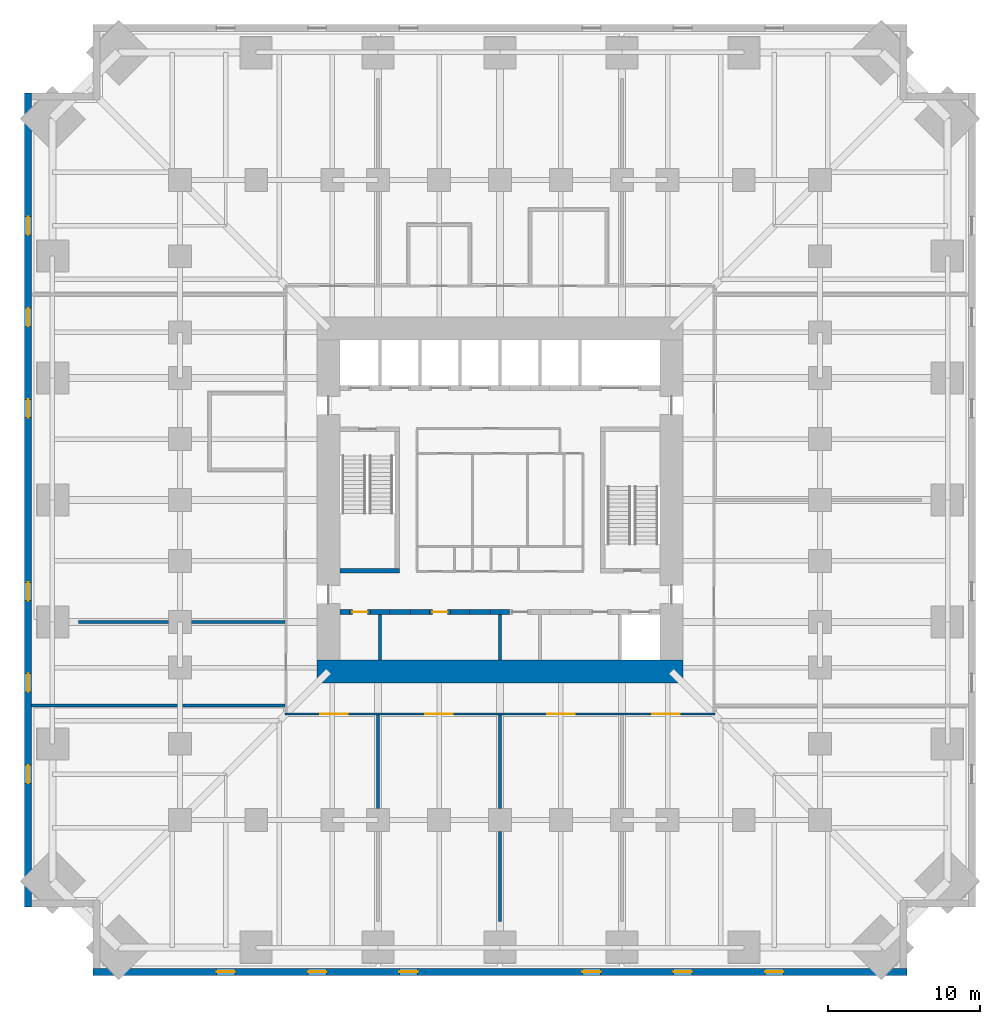
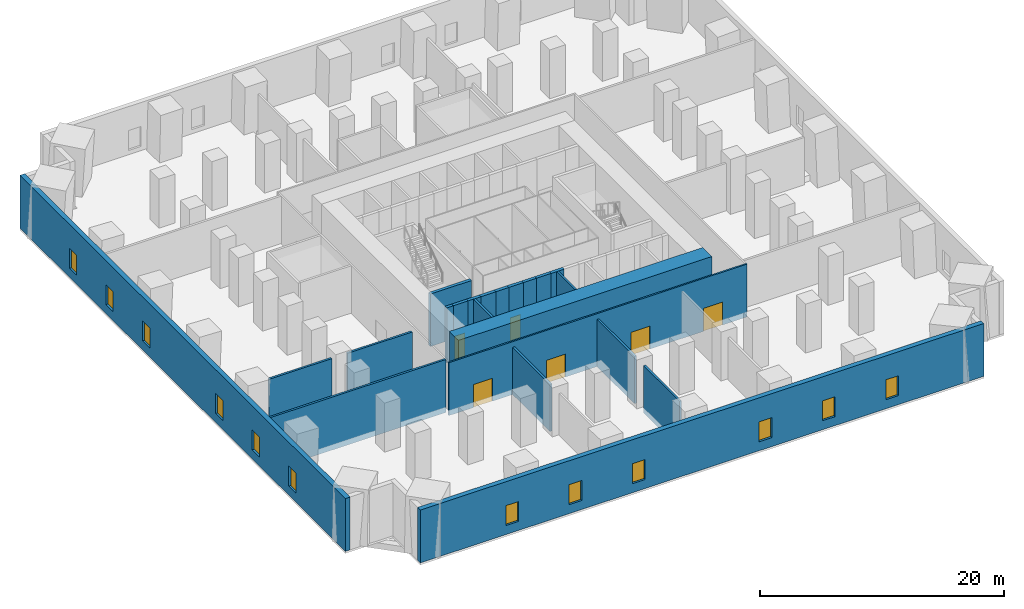
# One storey, part 3 of 8: 22 walls, 12 windows, 6 doors, 18 openings.
"""IFC4 building model written with IfcOpenShell, lengths in metres."""

from ifc_helpers import new_model, si_unit, direction, frame, frame_2d, origin, place, context, subcontext, project, spatial, rectangle, extrude, material, layer, layer_set, type_object, element, fill, save


model = new_model("IFC4")

# Units and contexts
model_context = context("Model", 3, precision=1e-05, world=origin(), true_north=direction((0.0, 1.0)))
body_context = subcontext(model_context, "Body", "Model", "MODEL_VIEW")
ifc_project = project(units=[si_unit("LENGTHUNIT", "METRE"), si_unit("AREAUNIT", "SQUARE_METRE"), si_unit("VOLUMEUNIT", "CUBIC_METRE"), si_unit("PLANEANGLEUNIT", "RADIAN"), si_unit("MASSUNIT", "GRAM", prefix="KILO")], contexts=[model_context])

# Site, building, storey
site_placement = place(None, origin())
site = spatial("IfcSite", under=ifc_project, at=site_placement, CompositionType="ELEMENT")
building_placement = place(site_placement, origin())
building = spatial("IfcBuilding", under=site, at=building_placement, Name="Peilmerk Tower", CompositionType="ELEMENT")
storey_placement = place(building_placement, frame((0.0, 0.0, 37.5)))
storey = spatial("IfcBuildingStorey", under=building, at=storey_placement, Name="L07", CompositionType="ELEMENT", Elevation=37.5)

# Wall, openings, windows
ifc_material_1 = material(Name="Precast concrete C45/55, board-marked finish", Category="concrete")
ifc_layer_1 = layer(ifc_material_1, 0.449951171875)
ifc_layer_set_1 = layer_set([ifc_layer_1], Name="Precast concrete C45/55, board-marked finish")
wall_type_1 = type_object("IfcWallType", Name="EW1 450 precast concrete facade wall, board-marked", PredefinedType="SOLIDWALL", material=ifc_layer_set_1)
wall_1_placement = place(storey_placement, frame((-26.699951171875, -30.97509765625, 0.0), z_axis=(0.0, 0.0, 1.0), x_axis=(1.0, 0.0, 0.0)))
wall_1 = element("IfcWall", 1, at=wall_1_placement, inside=storey, type_object=wall_type_1, Name="Facade wall S L07", PredefinedType="SOLIDWALL", context=body_context, shape_type="SweptSolid", body=[
    extrude(rectangle(XDim=53.39990234375, YDim=0.449951171875, at=frame_2d((26.699951171875, 0.0))), origin(), (0.0, 0.0, 1.0), 5.300048828125),
])
opening_1_placement = place(wall_1_placement, frame((8.10009765625, 0.0, 0.89990234375)))
opening_1 = element("IfcOpeningElement", 2, at=opening_1_placement, cuts=wall_1, Name="Opening W2", PredefinedType="OPENING", context=body_context, shape_type="SweptSolid", body=[
    extrude(rectangle(XDim=1.199951171875, YDim=2.0, at=frame_2d((0.60009765625, 1.0))), frame((0.0, 0.23486328125, 0.0), z_axis=(0.0, -1.0, 0.0), x_axis=(1.0, 0.0, 0.0)), (0.0, 0.0, 1.0), 0.469970703125),
])
opening_2_placement = place(wall_1_placement, frame((14.10009765625, 0.0, 0.89990234375)))
opening_2 = element("IfcOpeningElement", 3, at=opening_2_placement, cuts=wall_1, Name="Opening W2", PredefinedType="OPENING", context=body_context, shape_type="SweptSolid", body=[
    extrude(rectangle(XDim=1.199951171875, YDim=2.0, at=frame_2d((0.60009765625, 1.0))), frame((0.0, 0.23486328125, 0.0), z_axis=(0.0, -1.0, 0.0), x_axis=(1.0, 0.0, 0.0)), (0.0, 0.0, 1.0), 0.469970703125),
])
opening_3_placement = place(wall_1_placement, frame((20.10009765625, 0.0, 0.89990234375)))
opening_3 = element("IfcOpeningElement", 4, at=opening_3_placement, cuts=wall_1, Name="Opening W2", PredefinedType="OPENING", context=body_context, shape_type="SweptSolid", body=[
    extrude(rectangle(XDim=1.199951171875, YDim=2.0, at=frame_2d((0.60009765625, 1.0))), frame((0.0, 0.23486328125, 0.0), z_axis=(0.0, -1.0, 0.0), x_axis=(1.0, 0.0, 0.0)), (0.0, 0.0, 1.0), 0.469970703125),
])
opening_4_placement = place(wall_1_placement, frame((32.10009765625, 0.0, 0.89990234375)))
opening_4 = element("IfcOpeningElement", 5, at=opening_4_placement, cuts=wall_1, Name="Opening W2", PredefinedType="OPENING", context=body_context, shape_type="SweptSolid", body=[
    extrude(rectangle(XDim=1.199951171875, YDim=2.0, at=frame_2d((0.60009765625, 1.0))), frame((0.0, 0.23486328125, 0.0), z_axis=(0.0, -1.0, 0.0), x_axis=(1.0, 0.0, 0.0)), (0.0, 0.0, 1.0), 0.469970703125),
])
opening_5_placement = place(wall_1_placement, frame((38.10009765625, 0.0, 0.89990234375)))
opening_5 = element("IfcOpeningElement", 6, at=opening_5_placement, cuts=wall_1, Name="Opening W2", PredefinedType="OPENING", context=body_context, shape_type="SweptSolid", body=[
    extrude(rectangle(XDim=1.199951171875, YDim=2.0, at=frame_2d((0.60009765625, 1.0))), frame((0.0, 0.23486328125, 0.0), z_axis=(0.0, -1.0, 0.0), x_axis=(1.0, 0.0, 0.0)), (0.0, 0.0, 1.0), 0.469970703125),
])
opening_6_placement = place(wall_1_placement, frame((44.10009765625, 0.0, 0.89990234375)))
opening_6 = element("IfcOpeningElement", 7, at=opening_6_placement, cuts=wall_1, Name="Opening W2", PredefinedType="OPENING", context=body_context, shape_type="SweptSolid", body=[
    extrude(rectangle(XDim=1.199951171875, YDim=2.0, at=frame_2d((0.60009765625, 1.0))), frame((0.0, 0.23486328125, 0.0), z_axis=(0.0, -1.0, 0.0), x_axis=(1.0, 0.0, 0.0)), (0.0, 0.0, 1.0), 0.469970703125),
])
ifc_material_2 = material(Name="Aluminium frame, clear double glazing", Category="aluminium")
window_type = type_object("IfcWindowType", Name="W2 1200x2000 data hall slot window", PartitioningType="SINGLE_PANEL", PredefinedType="WINDOW", material=ifc_material_2)
window_1_placement = place(opening_1_placement, origin())
window_1 = element("IfcWindow", 8, at=window_1_placement, inside=storey, type_object=window_type, Name="Window W2 L07", OverallHeight=2.0, OverallWidth=1.199951171875, PartitioningType="SINGLE_PANEL", PredefinedType="WINDOW", context=body_context, shape_type="SweptSolid", body=[
    extrude(rectangle(XDim=1.199951171875, YDim=2.0, at=frame_2d((0.60009765625, 1.0))), frame((0.0, 0.030029296875, 0.0), z_axis=(0.0, -1.0, 0.0), x_axis=(1.0, 0.0, 0.0)), (0.0, 0.0, 1.0), 0.06005859375),
])
fill(opening_1, window_1)
window_2_placement = place(opening_2_placement, origin())
window_2 = element("IfcWindow", 9, at=window_2_placement, inside=storey, type_object=window_type, Name="Window W2 L07", OverallHeight=2.0, OverallWidth=1.199951171875, PartitioningType="SINGLE_PANEL", PredefinedType="WINDOW", context=body_context, shape_type="SweptSolid", body=[
    extrude(rectangle(XDim=1.199951171875, YDim=2.0, at=frame_2d((0.60009765625, 1.0))), frame((0.0, 0.030029296875, 0.0), z_axis=(0.0, -1.0, 0.0), x_axis=(1.0, 0.0, 0.0)), (0.0, 0.0, 1.0), 0.06005859375),
])
fill(opening_2, window_2)
window_3_placement = place(opening_3_placement, origin())
window_3 = element("IfcWindow", 10, at=window_3_placement, inside=storey, type_object=window_type, Name="Window W2 L07", OverallHeight=2.0, OverallWidth=1.199951171875, PartitioningType="SINGLE_PANEL", PredefinedType="WINDOW", context=body_context, shape_type="SweptSolid", body=[
    extrude(rectangle(XDim=1.199951171875, YDim=2.0, at=frame_2d((0.60009765625, 1.0))), frame((0.0, 0.030029296875, 0.0), z_axis=(0.0, -1.0, 0.0), x_axis=(1.0, 0.0, 0.0)), (0.0, 0.0, 1.0), 0.06005859375),
])
fill(opening_3, window_3)
window_4_placement = place(opening_4_placement, origin())
window_4 = element("IfcWindow", 11, at=window_4_placement, inside=storey, type_object=window_type, Name="Window W2 L07", OverallHeight=2.0, OverallWidth=1.199951171875, PartitioningType="SINGLE_PANEL", PredefinedType="WINDOW", context=body_context, shape_type="SweptSolid", body=[
    extrude(rectangle(XDim=1.199951171875, YDim=2.0, at=frame_2d((0.60009765625, 1.0))), frame((0.0, 0.030029296875, 0.0), z_axis=(0.0, -1.0, 0.0), x_axis=(1.0, 0.0, 0.0)), (0.0, 0.0, 1.0), 0.06005859375),
])
fill(opening_4, window_4)
window_5_placement = place(opening_5_placement, origin())
window_5 = element("IfcWindow", 12, at=window_5_placement, inside=storey, type_object=window_type, Name="Window W2 L07", OverallHeight=2.0, OverallWidth=1.199951171875, PartitioningType="SINGLE_PANEL", PredefinedType="WINDOW", context=body_context, shape_type="SweptSolid", body=[
    extrude(rectangle(XDim=1.199951171875, YDim=2.0, at=frame_2d((0.60009765625, 1.0))), frame((0.0, 0.030029296875, 0.0), z_axis=(0.0, -1.0, 0.0), x_axis=(1.0, 0.0, 0.0)), (0.0, 0.0, 1.0), 0.06005859375),
])
fill(opening_5, window_5)
window_6_placement = place(opening_6_placement, origin())
window_6 = element("IfcWindow", 13, at=window_6_placement, inside=storey, type_object=window_type, Name="Window W2 L07", OverallHeight=2.0, OverallWidth=1.199951171875, PartitioningType="SINGLE_PANEL", PredefinedType="WINDOW", context=body_context, shape_type="SweptSolid", body=[
    extrude(rectangle(XDim=1.199951171875, YDim=2.0, at=frame_2d((0.60009765625, 1.0))), frame((0.0, 0.030029296875, 0.0), z_axis=(0.0, -1.0, 0.0), x_axis=(1.0, 0.0, 0.0)), (0.0, 0.0, 1.0), 0.06005859375),
])
fill(opening_6, window_6)

wall_2_placement = place(storey_placement, frame((-30.97509765625, 26.699951171875, 0.0), z_axis=(0.0, 0.0, 1.0), x_axis=(0.0, -1.0, 0.0)))
wall_2 = element("IfcWall", 14, at=wall_2_placement, inside=storey, type_object=wall_type_1, Name="Facade wall W L07", PredefinedType="SOLIDWALL", context=body_context, shape_type="SweptSolid", body=[
    extrude(rectangle(XDim=53.39990234375, YDim=0.449951171875, at=frame_2d((26.699951171875, 0.0))), origin(), (0.0, 0.0, 1.0), 5.300048828125),
])
opening_7_placement = place(wall_2_placement, frame((8.10009765625, 0.0, 0.89990234375)))
opening_7 = element("IfcOpeningElement", 15, at=opening_7_placement, cuts=wall_2, Name="Opening W2", PredefinedType="OPENING", context=body_context, shape_type="SweptSolid", body=[
    extrude(rectangle(XDim=1.199951171875, YDim=2.0, at=frame_2d((0.60009765625, 1.0))), frame((0.0, 0.23486328125, 0.0), z_axis=(0.0, -1.0, 0.0), x_axis=(1.0, 0.0, 0.0)), (0.0, 0.0, 1.0), 0.469970703125),
])
opening_8_placement = place(wall_2_placement, frame((14.10009765625, 0.0, 0.89990234375)))
opening_8 = element("IfcOpeningElement", 16, at=opening_8_placement, cuts=wall_2, Name="Opening W2", PredefinedType="OPENING", context=body_context, shape_type="SweptSolid", body=[
    extrude(rectangle(XDim=1.199951171875, YDim=2.0, at=frame_2d((0.60009765625, 1.0))), frame((0.0, 0.23486328125, 0.0), z_axis=(0.0, -1.0, 0.0), x_axis=(1.0, 0.0, 0.0)), (0.0, 0.0, 1.0), 0.469970703125),
])
opening_9_placement = place(wall_2_placement, frame((20.10009765625, 0.0, 0.89990234375)))
opening_9 = element("IfcOpeningElement", 17, at=opening_9_placement, cuts=wall_2, Name="Opening W2", PredefinedType="OPENING", context=body_context, shape_type="SweptSolid", body=[
    extrude(rectangle(XDim=1.199951171875, YDim=2.0, at=frame_2d((0.60009765625, 1.0))), frame((0.0, 0.23486328125, 0.0), z_axis=(0.0, -1.0, 0.0), x_axis=(1.0, 0.0, 0.0)), (0.0, 0.0, 1.0), 0.469970703125),
])
opening_10_placement = place(wall_2_placement, frame((32.10009765625, 0.0, 0.89990234375)))
opening_10 = element("IfcOpeningElement", 18, at=opening_10_placement, cuts=wall_2, Name="Opening W2", PredefinedType="OPENING", context=body_context, shape_type="SweptSolid", body=[
    extrude(rectangle(XDim=1.199951171875, YDim=2.0, at=frame_2d((0.60009765625, 1.0))), frame((0.0, 0.23486328125, 0.0), z_axis=(0.0, -1.0, 0.0), x_axis=(1.0, 0.0, 0.0)), (0.0, 0.0, 1.0), 0.469970703125),
])
opening_11_placement = place(wall_2_placement, frame((38.10009765625, 0.0, 0.89990234375)))
opening_11 = element("IfcOpeningElement", 19, at=opening_11_placement, cuts=wall_2, Name="Opening W2", PredefinedType="OPENING", context=body_context, shape_type="SweptSolid", body=[
    extrude(rectangle(XDim=1.199951171875, YDim=2.0, at=frame_2d((0.60009765625, 1.0))), frame((0.0, 0.23486328125, 0.0), z_axis=(0.0, -1.0, 0.0), x_axis=(1.0, 0.0, 0.0)), (0.0, 0.0, 1.0), 0.469970703125),
])
opening_12_placement = place(wall_2_placement, frame((44.10009765625, 0.0, 0.89990234375)))
opening_12 = element("IfcOpeningElement", 20, at=opening_12_placement, cuts=wall_2, Name="Opening W2", PredefinedType="OPENING", context=body_context, shape_type="SweptSolid", body=[
    extrude(rectangle(XDim=1.199951171875, YDim=2.0, at=frame_2d((0.60009765625, 1.0))), frame((0.0, 0.23486328125, 0.0), z_axis=(0.0, -1.0, 0.0), x_axis=(1.0, 0.0, 0.0)), (0.0, 0.0, 1.0), 0.469970703125),
])
window_7_placement = place(opening_7_placement, origin())
window_7 = element("IfcWindow", 21, at=window_7_placement, inside=storey, type_object=window_type, Name="Window W2 L07", OverallHeight=2.0, OverallWidth=1.199951171875, PartitioningType="SINGLE_PANEL", PredefinedType="WINDOW", context=body_context, shape_type="SweptSolid", body=[
    extrude(rectangle(XDim=1.199951171875, YDim=2.0, at=frame_2d((0.60009765625, 1.0))), frame((0.0, 0.030029296875, 0.0), z_axis=(0.0, -1.0, 0.0), x_axis=(1.0, 0.0, 0.0)), (0.0, 0.0, 1.0), 0.06005859375),
])
fill(opening_7, window_7)
window_8_placement = place(opening_8_placement, origin())
window_8 = element("IfcWindow", 22, at=window_8_placement, inside=storey, type_object=window_type, Name="Window W2 L07", OverallHeight=2.0, OverallWidth=1.199951171875, PartitioningType="SINGLE_PANEL", PredefinedType="WINDOW", context=body_context, shape_type="SweptSolid", body=[
    extrude(rectangle(XDim=1.199951171875, YDim=2.0, at=frame_2d((0.60009765625, 1.0))), frame((0.0, 0.030029296875, 0.0), z_axis=(0.0, -1.0, 0.0), x_axis=(1.0, 0.0, 0.0)), (0.0, 0.0, 1.0), 0.06005859375),
])
fill(opening_8, window_8)
window_9_placement = place(opening_9_placement, origin())
window_9 = element("IfcWindow", 23, at=window_9_placement, inside=storey, type_object=window_type, Name="Window W2 L07", OverallHeight=2.0, OverallWidth=1.199951171875, PartitioningType="SINGLE_PANEL", PredefinedType="WINDOW", context=body_context, shape_type="SweptSolid", body=[
    extrude(rectangle(XDim=1.199951171875, YDim=2.0, at=frame_2d((0.60009765625, 1.0))), frame((0.0, 0.030029296875, 0.0), z_axis=(0.0, -1.0, 0.0), x_axis=(1.0, 0.0, 0.0)), (0.0, 0.0, 1.0), 0.06005859375),
])
fill(opening_9, window_9)
window_10_placement = place(opening_10_placement, origin())
window_10 = element("IfcWindow", 24, at=window_10_placement, inside=storey, type_object=window_type, Name="Window W2 L07", OverallHeight=2.0, OverallWidth=1.199951171875, PartitioningType="SINGLE_PANEL", PredefinedType="WINDOW", context=body_context, shape_type="SweptSolid", body=[
    extrude(rectangle(XDim=1.199951171875, YDim=2.0, at=frame_2d((0.60009765625, 1.0))), frame((0.0, 0.030029296875, 0.0), z_axis=(0.0, -1.0, 0.0), x_axis=(1.0, 0.0, 0.0)), (0.0, 0.0, 1.0), 0.06005859375),
])
fill(opening_10, window_10)
window_11_placement = place(opening_11_placement, origin())
window_11 = element("IfcWindow", 25, at=window_11_placement, inside=storey, type_object=window_type, Name="Window W2 L07", OverallHeight=2.0, OverallWidth=1.199951171875, PartitioningType="SINGLE_PANEL", PredefinedType="WINDOW", context=body_context, shape_type="SweptSolid", body=[
    extrude(rectangle(XDim=1.199951171875, YDim=2.0, at=frame_2d((0.60009765625, 1.0))), frame((0.0, 0.030029296875, 0.0), z_axis=(0.0, -1.0, 0.0), x_axis=(1.0, 0.0, 0.0)), (0.0, 0.0, 1.0), 0.06005859375),
])
fill(opening_11, window_11)
window_12_placement = place(opening_12_placement, origin())
window_12 = element("IfcWindow", 26, at=window_12_placement, inside=storey, type_object=window_type, Name="Window W2 L07", OverallHeight=2.0, OverallWidth=1.199951171875, PartitioningType="SINGLE_PANEL", PredefinedType="WINDOW", context=body_context, shape_type="SweptSolid", body=[
    extrude(rectangle(XDim=1.199951171875, YDim=2.0, at=frame_2d((0.60009765625, 1.0))), frame((0.0, 0.030029296875, 0.0), z_axis=(0.0, -1.0, 0.0), x_axis=(1.0, 0.0, 0.0)), (0.0, 0.0, 1.0), 0.06005859375),
])
fill(opening_12, window_12)

# Wall, openings, doors
ifc_material_3 = material(Name="Calcium silicate block", Category="masonry")
ifc_layer_2 = layer(ifc_material_3, 0.14990234375)
ifc_layer_set_2 = layer_set([ifc_layer_2], Name="Calcium silicate block")
wall_type_2 = type_object("IfcWallType", Name="IW1 150 corridor partition, EI 60", PredefinedType="PARTITIONING", material=ifc_layer_set_2)
wall_3_placement = place(storey_placement, frame((14.125, -14.050048828125, 0.0), z_axis=(0.0, 0.0, 1.0), x_axis=(-1.0, 0.0, 0.0)))
wall_3 = element("IfcWall", 27, at=wall_3_placement, inside=storey, type_object=wall_type_2, Name="Corridor wall S L07", PredefinedType="PARTITIONING", context=body_context, shape_type="SweptSolid", body=[
    extrude(rectangle(XDim=28.25, YDim=0.14990234375, at=frame_2d((14.125, 0.0))), origin(), (0.0, 0.0, 1.0), 5.300048828125),
])
opening_13_placement = place(wall_3_placement, frame((24.125, 0.0, 0.0)))
opening_13 = element("IfcOpeningElement", 28, at=opening_13_placement, cuts=wall_3, Name="Opening D2", PredefinedType="OPENING", context=body_context, shape_type="SweptSolid", body=[
    extrude(rectangle(XDim=1.800048828125, YDim=2.300048828125, at=frame_2d((0.89990234375, 1.14990234375))), frame((0.0, 0.0849609375, 0.0), z_axis=(0.0, -1.0, 0.0), x_axis=(1.0, 0.0, 0.0)), (0.0, 0.0, 1.0), 0.169921875),
])
opening_14_placement = place(wall_3_placement, frame((17.22509765625, 0.0, 0.0)))
opening_14 = element("IfcOpeningElement", 29, at=opening_14_placement, cuts=wall_3, Name="Opening D2", PredefinedType="OPENING", context=body_context, shape_type="SweptSolid", body=[
    extrude(rectangle(XDim=1.800048828125, YDim=2.300048828125, at=frame_2d((0.89990234375, 1.14990234375))), frame((0.0, 0.0849609375, 0.0), z_axis=(0.0, -1.0, 0.0), x_axis=(1.0, 0.0, 0.0)), (0.0, 0.0, 1.0), 0.169921875),
])
opening_15_placement = place(wall_3_placement, frame((9.22509765625, 0.0, 0.0)))
opening_15 = element("IfcOpeningElement", 30, at=opening_15_placement, cuts=wall_3, Name="Opening D2", PredefinedType="OPENING", context=body_context, shape_type="SweptSolid", body=[
    extrude(rectangle(XDim=1.800048828125, YDim=2.300048828125, at=frame_2d((0.89990234375, 1.14990234375))), frame((0.0, 0.0849609375, 0.0), z_axis=(0.0, -1.0, 0.0), x_axis=(1.0, 0.0, 0.0)), (0.0, 0.0, 1.0), 0.169921875),
])
opening_16_placement = place(wall_3_placement, frame((2.324951171875, 0.0, 0.0)))
opening_16 = element("IfcOpeningElement", 31, at=opening_16_placement, cuts=wall_3, Name="Opening D2", PredefinedType="OPENING", context=body_context, shape_type="SweptSolid", body=[
    extrude(rectangle(XDim=1.800048828125, YDim=2.300048828125, at=frame_2d((0.89990234375, 1.14990234375))), frame((0.0, 0.0849609375, 0.0), z_axis=(0.0, -1.0, 0.0), x_axis=(1.0, 0.0, 0.0)), (0.0, 0.0, 1.0), 0.169921875),
])
ifc_material_4 = material(Name="Steel door in steel frame", Category="steel")
door_type_1 = type_object("IfcDoorType", Name="D2 1800x2300 double door, EI2 60", OperationType="DOUBLE_DOOR_DOUBLE_SWING", PredefinedType="DOOR", material=ifc_material_4)
door_1_placement = place(opening_13_placement, origin())
door_1 = element("IfcDoor", 32, at=door_1_placement, inside=storey, type_object=door_type_1, Name="Door Cross-connect room L07", OperationType="DOUBLE_DOOR_DOUBLE_SWING", OverallHeight=2.300048828125, OverallWidth=1.800048828125, PredefinedType="DOOR", context=body_context, shape_type="SweptSolid", body=[
    extrude(rectangle(XDim=1.800048828125, YDim=2.300048828125, at=frame_2d((0.89990234375, 1.14990234375))), frame((0.0, 0.02490234375, 0.0), z_axis=(0.0, -1.0, 0.0), x_axis=(1.0, 0.0, 0.0)), (0.0, 0.0, 1.0), 0.050048828125),
])
fill(opening_13, door_1)
door_2_placement = place(opening_14_placement, origin())
door_2 = element("IfcDoor", 33, at=door_2_placement, inside=storey, type_object=door_type_1, Name="Door Meet-me room B L07", OperationType="DOUBLE_DOOR_DOUBLE_SWING", OverallHeight=2.300048828125, OverallWidth=1.800048828125, PredefinedType="DOOR", context=body_context, shape_type="SweptSolid", body=[
    extrude(rectangle(XDim=1.800048828125, YDim=2.300048828125, at=frame_2d((0.89990234375, 1.14990234375))), frame((0.0, 0.02490234375, 0.0), z_axis=(0.0, -1.0, 0.0), x_axis=(1.0, 0.0, 0.0)), (0.0, 0.0, 1.0), 0.050048828125),
])
fill(opening_14, door_2)
door_3_placement = place(opening_15_placement, origin())
door_3 = element("IfcDoor", 34, at=door_3_placement, inside=storey, type_object=door_type_1, Name="Door Carrier room L07", OperationType="DOUBLE_DOOR_DOUBLE_SWING", OverallHeight=2.300048828125, OverallWidth=1.800048828125, PredefinedType="DOOR", context=body_context, shape_type="SweptSolid", body=[
    extrude(rectangle(XDim=1.800048828125, YDim=2.300048828125, at=frame_2d((0.89990234375, 1.14990234375))), frame((0.0, 0.02490234375, 0.0), z_axis=(0.0, -1.0, 0.0), x_axis=(1.0, 0.0, 0.0)), (0.0, 0.0, 1.0), 0.050048828125),
])
fill(opening_15, door_3)
door_4_placement = place(opening_16_placement, origin())
door_4 = element("IfcDoor", 35, at=door_4_placement, inside=storey, type_object=door_type_1, Name="Door Network room L07", OperationType="DOUBLE_DOOR_DOUBLE_SWING", OverallHeight=2.300048828125, OverallWidth=1.800048828125, PredefinedType="DOOR", context=body_context, shape_type="SweptSolid", body=[
    extrude(rectangle(XDim=1.800048828125, YDim=2.300048828125, at=frame_2d((0.89990234375, 1.14990234375))), frame((0.0, 0.02490234375, 0.0), z_axis=(0.0, -1.0, 0.0), x_axis=(1.0, 0.0, 0.0)), (0.0, 0.0, 1.0), 0.050048828125),
])
fill(opening_16, door_4)

# Walls
ifc_layer_3 = layer(ifc_material_3, 0.199951171875)
ifc_layer_set_3 = layer_set([ifc_layer_3], Name="Calcium silicate block")
wall_type_3 = type_object("IfcWallType", Name="IW2 200 room separating wall, EI 120", PredefinedType="PARTITIONING", material=ifc_layer_set_3)
wall_4_placement = place(storey_placement, frame((-14.125, -13.5, 0.0), z_axis=(0.0, 0.0, 1.0), x_axis=(-1.0, 0.0, 0.0)))
element("IfcWall", 36, at=wall_4_placement, inside=storey, type_object=wall_type_3, Name="Room separating wall SW L07", PredefinedType="PARTITIONING", context=body_context, shape_type="SweptSolid", body=[
    extrude(rectangle(XDim=16.625, YDim=0.199951171875, at=frame_2d((8.3125, 0.0))), origin(), (0.0, 0.0, 1.0), 5.300048828125),
])
for number, where, z_axis, x_axis, name in (
    (37, (-8.0, -14.125, 0.0), (0.0, 0.0, 1.0), (0.0, -1.0, 0.0), "Room separating wall S1 L07"),
    (38, (0.0, -14.125, 0.0), (0.0, 0.0, 1.0), (0.0, -1.0, 0.0), "Room separating wall S2 L07"),
):
    element("IfcWall", number, at=place(storey_placement, frame(where, z_axis=z_axis, x_axis=x_axis)), inside=storey, type_object=wall_type_3, Name=name, PredefinedType="PARTITIONING", context=body_context, shape_type="SweptSolid", body=[
        extrude(rectangle(XDim=6.125, YDim=0.199951171875, at=frame_2d((3.0625, 0.0))), origin(), (0.0, 0.0, 1.0), 4.73095703125),
    ])
wall_5_placement = place(storey_placement, frame((0.0, -21.75, 0.0), z_axis=(0.0, 0.0, 1.0), x_axis=(0.0, -1.0, 0.0)))
element("IfcWall", 39, at=wall_5_placement, inside=storey, type_object=wall_type_3, Name="Room separating wall S2b L07", PredefinedType="PARTITIONING", context=body_context, shape_type="SweptSolid", body=[
    extrude(rectangle(XDim=5.927978515625, YDim=0.199951171875, at=frame_2d((2.9638671875, 0.0))), origin(), (0.0, 0.0, 1.0), 4.73095703125),
])
wall_6_placement = place(storey_placement, frame((-14.125, -8.0, 0.0), z_axis=(0.0, 0.0, 1.0), x_axis=(-1.0, 0.0, 0.0)))
element("IfcWall", 40, at=wall_6_placement, inside=storey, type_object=wall_type_3, Name="Room separating wall W1 L07", PredefinedType="PARTITIONING", context=body_context, shape_type="SweptSolid", body=[
    extrude(rectangle(XDim=6.125, YDim=0.199951171875, at=frame_2d((3.0625, 0.0))), origin(), (0.0, 0.0, 1.0), 4.73095703125),
])
wall_7_placement = place(storey_placement, frame((-21.75, -8.0, 0.0), z_axis=(0.0, 0.0, 1.0), x_axis=(-1.0, 0.0, 0.0)))
element("IfcWall", 41, at=wall_7_placement, inside=storey, type_object=wall_type_3, Name="Room separating wall W1b L07", PredefinedType="PARTITIONING", context=body_context, shape_type="SweptSolid", body=[
    extrude(rectangle(XDim=5.927978515625, YDim=0.199951171875, at=frame_2d((2.9638671875, 0.0))), origin(), (0.0, 0.0, 1.0), 4.73095703125),
])
ifc_material_5 = material(Name="Concrete C35/45", Category="concrete")
ifc_layer_4 = layer(ifc_material_5, 0.300048828125)
ifc_layer_set_4 = layer_set([ifc_layer_4], Name="Concrete C35/45")
wall_type_4 = type_object("IfcWallType", Name="IW3 300 concrete stair enclosure wall, EI 120", PredefinedType="SOLIDWALL", material=ifc_layer_set_4)
wall_8_placement = place(storey_placement, frame((-6.60009765625, -4.64990234375, 0.0), z_axis=(0.0, 0.0, 1.0), x_axis=(-1.0, 0.0, 0.0)))
element("IfcWall", 42, at=wall_8_placement, inside=storey, type_object=wall_type_4, Name="Stair 1 enclosure L07", PredefinedType="SOLIDWALL", context=body_context, shape_type="SweptSolid", body=[
    extrude(rectangle(XDim=3.89990234375, YDim=0.300048828125, at=frame_2d((1.949951171875, 0.0))), origin(), (0.0, 0.0, 1.0), 5.25),
])
ifc_layer_5 = layer(ifc_material_3, 0.199951171875)
ifc_layer_set_5 = layer_set([ifc_layer_5], Name="Calcium silicate block")
wall_type_5 = type_object("IfcWallType", Name="SH1 200 shaft dividing wall, EI 120", PredefinedType="PARTITIONING", material=ifc_layer_set_5)
for number, where, z_axis, x_axis, name in (
    (43, (-7.875, -10.5, 0.0), (0.0, 0.0, 1.0), (0.0, 1.0, 0.0), "Shaft wall S C4 L07"),
    (44, (0.0, -10.5, 0.0), (0.0, 0.0, 1.0), (0.0, 1.0, 0.0), "Shaft wall S C1 L07"),
):
    element("IfcWall", number, at=place(storey_placement, frame(where, z_axis=z_axis, x_axis=x_axis)), inside=storey, type_object=wall_type_5, Name=name, PredefinedType="PARTITIONING", context=body_context, shape_type="SweptSolid", body=[
        extrude(rectangle(XDim=3.0, YDim=0.199951171875, at=frame_2d((1.5, 0.0))), origin(), (0.0, 0.0, 1.0), 5.5),
    ])

# Wall, opening, door
ifc_layer_6 = layer(ifc_material_3, 0.300048828125)
ifc_layer_set_6 = layer_set([ifc_layer_6], Name="Calcium silicate block")
wall_type_6 = type_object("IfcWallType", Name="SH2 300 lift landing door panel, EI 120", PredefinedType="PARTITIONING", material=ifc_layer_set_6)
wall_9_placement = place(storey_placement, frame((-9.887451171875, -7.35009765625, 0.0), z_axis=(0.0, 0.0, 1.0), x_axis=(1.0, 0.0, 0.0)))
wall_9 = element("IfcWall", 45, at=wall_9_placement, inside=storey, type_object=wall_type_6, Name="Lift door panel S C4 L07", PredefinedType="PARTITIONING", context=body_context, shape_type="SweptSolid", body=[
    extrude(rectangle(XDim=1.39990234375, YDim=0.300048828125, at=frame_2d((0.699951171875, 0.0))), origin(), (0.0, 0.0, 1.0), 5.5),
])
opening_17_placement = place(wall_9_placement, frame((0.199951171875, 0.0, 0.0)))
opening_17 = element("IfcOpeningElement", 46, at=opening_17_placement, cuts=wall_9, Name="Opening D10", PredefinedType="OPENING", context=body_context, shape_type="SweptSolid", body=[
    extrude(rectangle(XDim=1.0, YDim=2.300048828125, at=frame_2d((0.5, 1.14990234375))), frame((0.0, 0.159912109375, 0.0), z_axis=(0.0, -1.0, 0.0), x_axis=(1.0, 0.0, 0.0)), (0.0, 0.0, 1.0), 0.320068359375),
])
door_type_2 = type_object("IfcDoorType", Name="D10 1000x2300 core room door, EI2 60", OperationType="SINGLE_SWING_RIGHT", PredefinedType="DOOR", material=ifc_material_4)
door_5_placement = place(opening_17_placement, frame((1.0, 0.0, 0.0), z_axis=(0.0, 0.0, 1.0), x_axis=(-1.0, 0.0, 0.0)))
door_5 = element("IfcDoor", 47, at=door_5_placement, inside=storey, type_object=door_type_2, Name="Door Water meter room L07", OperationType="SINGLE_SWING_RIGHT", OverallHeight=2.300048828125, OverallWidth=1.0, PredefinedType="DOOR", context=body_context, shape_type="SweptSolid", body=[
    extrude(rectangle(XDim=1.0, YDim=2.300048828125, at=frame_2d((0.5, 1.14990234375))), frame((0.0, 0.02490234375, 0.0), z_axis=(0.0, -1.0, 0.0), x_axis=(1.0, 0.0, 0.0)), (0.0, 0.0, 1.0), 0.050048828125),
])
fill(opening_17, door_5)

# Wall
wall_10_placement = place(storey_placement, frame((-7.262451171875, -7.35009765625, 0.0), z_axis=(0.0, 0.0, 1.0), x_axis=(1.0, 0.0, 0.0)))
element("IfcWall", 48, at=wall_10_placement, inside=storey, type_object=wall_type_6, Name="Lift door panel S C3 L07", PredefinedType="PARTITIONING", context=body_context, shape_type="SweptSolid", body=[
    extrude(rectangle(XDim=1.39990234375, YDim=0.300048828125, at=frame_2d((0.699951171875, 0.0))), origin(), (0.0, 0.0, 1.0), 5.5),
])

# Wall, opening, door
wall_11_placement = place(storey_placement, frame((-4.637451171875, -7.35009765625, 0.0), z_axis=(0.0, 0.0, 1.0), x_axis=(1.0, 0.0, 0.0)))
wall_11 = element("IfcWall", 49, at=wall_11_placement, inside=storey, type_object=wall_type_6, Name="Lift door panel S C2 L07", PredefinedType="PARTITIONING", context=body_context, shape_type="SweptSolid", body=[
    extrude(rectangle(XDim=1.39990234375, YDim=0.300048828125, at=frame_2d((0.699951171875, 0.0))), origin(), (0.0, 0.0, 1.0), 5.5),
])
opening_18_placement = place(wall_11_placement, frame((0.199951171875, 0.0, 0.0)))
opening_18 = element("IfcOpeningElement", 50, at=opening_18_placement, cuts=wall_11, Name="Opening D10", PredefinedType="OPENING", context=body_context, shape_type="SweptSolid", body=[
    extrude(rectangle(XDim=1.0, YDim=2.300048828125, at=frame_2d((0.5, 1.14990234375))), frame((0.0, 0.159912109375, 0.0), z_axis=(0.0, -1.0, 0.0), x_axis=(1.0, 0.0, 0.0)), (0.0, 0.0, 1.0), 0.320068359375),
])
door_6_placement = place(opening_18_placement, frame((1.0, 0.0, 0.0), z_axis=(0.0, 0.0, 1.0), x_axis=(-1.0, 0.0, 0.0)))
door_6 = element("IfcDoor", 51, at=door_6_placement, inside=storey, type_object=door_type_2, Name="Door IT room L07", OperationType="SINGLE_SWING_RIGHT", OverallHeight=2.300048828125, OverallWidth=1.0, PredefinedType="DOOR", context=body_context, shape_type="SweptSolid", body=[
    extrude(rectangle(XDim=1.0, YDim=2.300048828125, at=frame_2d((0.5, 1.14990234375))), frame((0.0, 0.02490234375, 0.0), z_axis=(0.0, -1.0, 0.0), x_axis=(1.0, 0.0, 0.0)), (0.0, 0.0, 1.0), 0.050048828125),
])
fill(opening_18, door_6)

# Walls
wall_12_placement = place(storey_placement, frame((-2.012451171875, -7.35009765625, 0.0), z_axis=(0.0, 0.0, 1.0), x_axis=(1.0, 0.0, 0.0)))
element("IfcWall", 52, at=wall_12_placement, inside=storey, type_object=wall_type_6, Name="Lift door panel S C1 L07", PredefinedType="PARTITIONING", context=body_context, shape_type="SweptSolid", body=[
    extrude(rectangle(XDim=1.39990234375, YDim=0.300048828125, at=frame_2d((0.699951171875, 0.0))), origin(), (0.0, 0.0, 1.0), 5.5),
])
ifc_material_6 = material(Name="Concrete C55/67", Category="concrete")
ifc_layer_7 = layer(ifc_material_6, 1.5)
ifc_layer_set_7 = layer_set([ifc_layer_7], Name="Concrete C55/67")
wall_type_7 = type_object("IfcWallType", Name="SW1 1500 core wall", PredefinedType="SHEAR", material=ifc_layer_set_7)
wall_13_placement = place(storey_placement, frame((12.0, -11.25, 0.0), z_axis=(0.0, 0.0, 1.0), x_axis=(-1.0, 0.0, 0.0)))
element("IfcWall", 53, at=wall_13_placement, inside=storey, type_object=wall_type_7, Name="Core wall S L07", PredefinedType="SHEAR", context=body_context, shape_type="SweptSolid", body=[
    extrude(rectangle(XDim=24.0, YDim=1.5, at=frame_2d((12.0, 0.0))), origin(), (0.0, 0.0, 1.0), 5.5),
])
ifc_layer_8 = layer(ifc_material_6, 0.300048828125)
ifc_layer_set_8 = layer_set([ifc_layer_8], Name="Concrete C55/67")
wall_type_8 = type_object("IfcWallType", Name="SW2 300 lift bank pier", PredefinedType="SHEAR", material=ifc_layer_set_8)
wall_14_placement = place(storey_placement, frame((-10.5, -7.35009765625, 0.0), z_axis=(0.0, 0.0, 1.0), x_axis=(1.0, 0.0, 0.0)))
element("IfcWall", 54, at=wall_14_placement, inside=storey, type_object=wall_type_8, Name="Lift bank pier S L07", PredefinedType="SHEAR", context=body_context, shape_type="SweptSolid", body=[
    extrude(rectangle(XDim=0.612548828125, YDim=0.300048828125, at=frame_2d((0.30615234375, 0.0))), origin(), (0.0, 0.0, 1.0), 5.5),
])
for number, where, z_axis, x_axis, name in (
    (55, (-8.487548828125, -7.35009765625, 0.0), (0.0, 0.0, 1.0), (1.0, 0.0, 0.0), "Lift bank pier S L07"),
    (56, (-5.862548828125, -7.35009765625, 0.0), (0.0, 0.0, 1.0), (1.0, 0.0, 0.0), "Lift bank pier S L07"),
    (57, (-3.237548828125, -7.35009765625, 0.0), (0.0, 0.0, 1.0), (1.0, 0.0, 0.0), "Lift bank pier S L07"),
    (58, (-0.612548828125, -7.35009765625, 0.0), (0.0, 0.0, 1.0), (1.0, 0.0, 0.0), "Lift bank pier S L07"),
):
    element("IfcWall", number, at=place(storey_placement, frame(where, z_axis=z_axis, x_axis=x_axis)), inside=storey, type_object=wall_type_8, Name=name, PredefinedType="SHEAR", context=body_context, shape_type="SweptSolid", body=[
        extrude(rectangle(XDim=1.22509765625, YDim=0.300048828125, at=frame_2d((0.612548828125, 0.0))), origin(), (0.0, 0.0, 1.0), 5.5),
    ])

save(model, "model.ifc")
